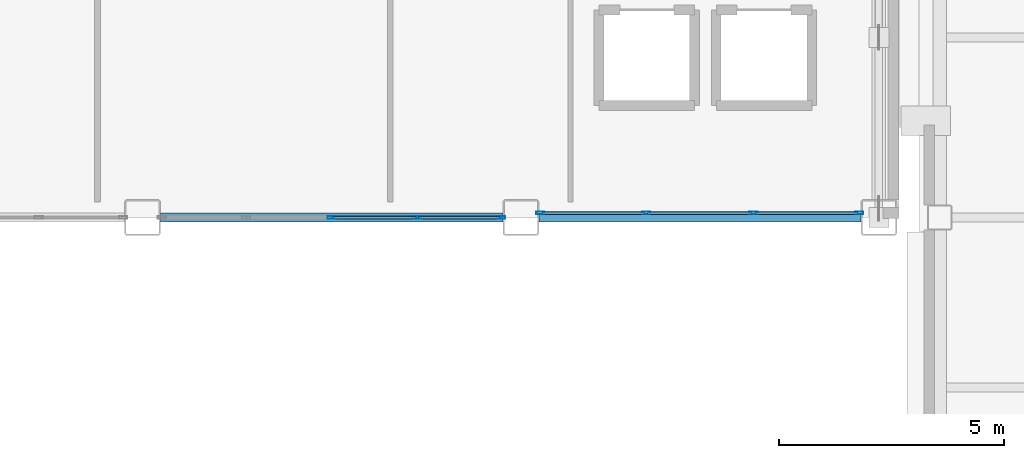
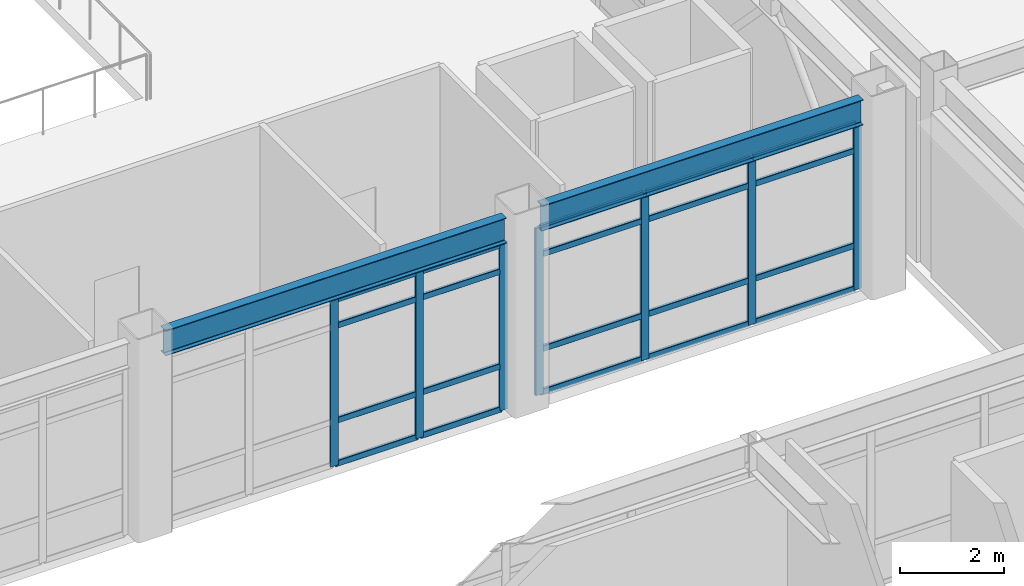
# One storey, part 34 of 154: 27 members, 2 beams, 2 elements without a shape of their own.
"""IFC4 building model written with IfcOpenShell, lengths in metres."""

from ifc_helpers import new_model, si_unit, direction, frame, origin, origin_2d, place, context, subcontext, project, spatial, hollow_rectangle, i_section, extrude, material, layer, layer_set, material_profile, profile_set, type_object, element, aggregate, save


model = new_model("IFC4")

# Units and contexts
model_context = context("Model", 3, precision=1e-05, world=origin(), true_north=direction((0.0, 1.0)))
body_context = subcontext(model_context, "Body", "Model", "MODEL_VIEW")
ifc_project = project(units=[si_unit("LENGTHUNIT", "METRE"), si_unit("AREAUNIT", "SQUARE_METRE"), si_unit("VOLUMEUNIT", "CUBIC_METRE"), si_unit("PLANEANGLEUNIT", "RADIAN"), si_unit("MASSUNIT", "GRAM", prefix="KILO")], contexts=[model_context])

# Site, building, storey
site_placement = place(None, origin())
site = spatial("IfcSite", under=ifc_project, at=site_placement, CompositionType="ELEMENT")
building_placement = place(site_placement, origin())
building = spatial("IfcBuilding", under=site, at=building_placement, Name="Kazehara Bluff Congress Hotel", CompositionType="ELEMENT")
storey_placement = place(building_placement, frame((0.0, 0.0, 10.199951171875)))
storey = spatial("IfcBuildingStorey", under=building, at=storey_placement, Name="L02", CompositionType="ELEMENT", Elevation=10.199951171875)

# Curtain wall, members
ifc_material_1 = material(Name="Anodised aluminium", Category="aluminium")
ifc_layer_1 = layer(ifc_material_1, 0.159912109375)
ifc_layer_set_1 = layer_set([ifc_layer_1], Name="Anodised aluminium")
curtain_wall_type_1 = type_object("IfcCurtainWallType", Name="TP-CW-15", PredefinedType="NOTDEFINED", material=ifc_layer_set_1)
curtain_wall_1_placement = place(storey_placement, origin())
curtain_wall_1 = element("IfcCurtainWall", 1, at=curtain_wall_1_placement, inside=storey, type_object=curtain_wall_type_1, Name="L02 curtain wall CW-15 CW-V1-L02-Y4845-4240", PredefinedType="NOTDEFINED")
ifc_material_2 = material(Name="Anodised aluminium", Category="aluminium")
ifc_material_profile_1 = material_profile(ifc_material_2, hollow_rectangle(XDim=0.06494140625, YDim=0.179931640625, WallThickness=0.00390625, InnerFilletRadius=0.00390625, OuterFilletRadius=0.008056640625, at=origin_2d()))
ifc_profile_set_1 = profile_set([ifc_material_profile_1], Name="Anodised aluminium")
member_type_1 = type_object("IfcMemberType", Name="TP-CWM-02", PredefinedType="MULLION", material=ifc_profile_set_1)
member_1_placement = place(storey_placement, frame((46.199951171875, 48.449951171875, 0.0), z_axis=(0.0, 0.0, 1.0), x_axis=(0.0, 1.0, 0.0)))
member_1 = element("IfcMember", 2, at=member_1_placement, type_object=member_type_1, Name="CW-15 mullion 3", PredefinedType="MULLION", context=body_context, shape_type="SweptSolid", body=[
    extrude(hollow_rectangle(XDim=0.06494140625, YDim=0.179931640625, WallThickness=0.00390625, InnerFilletRadius=0.00390625, OuterFilletRadius=0.008056640625, at=origin_2d()), origin(), (0.0, 0.0, 1.0), 3.93505859375),
])
member_2_placement = place(storey_placement, frame((48.10009765625, 48.449951171875, 0.0), z_axis=(0.0, 0.0, 1.0), x_axis=(0.0, 1.0, 0.0)))
member_2 = element("IfcMember", 3, at=member_2_placement, type_object=member_type_1, Name="CW-15 mullion 4", PredefinedType="MULLION", context=body_context, shape_type="SweptSolid", body=[
    extrude(hollow_rectangle(XDim=0.06494140625, YDim=0.179931640625, WallThickness=0.00390625, InnerFilletRadius=0.00390625, OuterFilletRadius=0.008056640625, at=origin_2d()), origin(), (0.0, 0.0, 1.0), 3.93505859375),
])
member_3_placement = place(storey_placement, frame((49.967529296875, 48.449951171875, 0.0), z_axis=(0.0, 0.0, 1.0), x_axis=(0.0, 1.0, 0.0)))
member_3 = element("IfcMember", 4, at=member_3_placement, type_object=member_type_1, Name="CW-15 mullion 5", PredefinedType="MULLION", context=body_context, shape_type="SweptSolid", body=[
    extrude(hollow_rectangle(XDim=0.06494140625, YDim=0.179931640625, WallThickness=0.00390625, InnerFilletRadius=0.00390625, OuterFilletRadius=0.008056640625, at=origin_2d()), origin(), (0.0, 0.0, 1.0), 3.93505859375),
])

ifc_material_3 = material(Name="Anodised aluminium", Category="aluminium")
ifc_layer_2 = layer(ifc_material_3, 0.159912109375)
ifc_layer_set_2 = layer_set([ifc_layer_2], Name="Anodised aluminium")
curtain_wall_type_2 = type_object("IfcCurtainWallType", Name="TP-CW-127", PredefinedType="NOTDEFINED", material=ifc_layer_set_2)
curtain_wall_2_placement = place(storey_placement, origin())
curtain_wall_2 = element("IfcCurtainWall", 5, at=curtain_wall_2_placement, inside=storey, type_object=curtain_wall_type_2, Name="L02 curtain wall CW-127 CW-ENC-V1-L02-5438-4855", PredefinedType="NOTDEFINED")
member_4_placement = place(storey_placement, frame((57.91748046875, 48.550048828125, 0.0), z_axis=(0.0, 0.0, 1.0), x_axis=(0.0, -1.0, 0.0)))
member_4 = element("IfcMember", 6, at=member_4_placement, type_object=member_type_1, Name="CW-127 mullion 1", PredefinedType="MULLION", context=body_context, shape_type="SweptSolid", body=[
    extrude(hollow_rectangle(XDim=0.06494140625, YDim=0.179931640625, WallThickness=0.00390625, InnerFilletRadius=0.00390625, OuterFilletRadius=0.008056640625, at=origin_2d()), origin(), (0.0, 0.0, 1.0), 3.93505859375),
])
member_5_placement = place(storey_placement, frame((55.566650390625, 48.550048828125, 0.0), z_axis=(0.0, 0.0, 1.0), x_axis=(0.0, -1.0, 0.0)))
member_5 = element("IfcMember", 7, at=member_5_placement, type_object=member_type_1, Name="CW-127 mullion 2", PredefinedType="MULLION", context=body_context, shape_type="SweptSolid", body=[
    extrude(hollow_rectangle(XDim=0.06494140625, YDim=0.179931640625, WallThickness=0.00390625, InnerFilletRadius=0.00390625, OuterFilletRadius=0.008056640625, at=origin_2d()), origin(), (0.0, 0.0, 1.0), 3.93505859375),
])
member_6_placement = place(storey_placement, frame((53.183349609375, 48.550048828125, 0.0), z_axis=(0.0, 0.0, 1.0), x_axis=(0.0, -1.0, 0.0)))
member_6 = element("IfcMember", 8, at=member_6_placement, type_object=member_type_1, Name="CW-127 mullion 3", PredefinedType="MULLION", context=body_context, shape_type="SweptSolid", body=[
    extrude(hollow_rectangle(XDim=0.06494140625, YDim=0.179931640625, WallThickness=0.00390625, InnerFilletRadius=0.00390625, OuterFilletRadius=0.008056640625, at=origin_2d()), origin(), (0.0, 0.0, 1.0), 3.93505859375),
])
member_7_placement = place(storey_placement, frame((50.83251953125, 48.550048828125, 0.0), z_axis=(0.0, 0.0, 1.0), x_axis=(0.0, -1.0, 0.0)))
member_7 = element("IfcMember", 9, at=member_7_placement, type_object=member_type_1, Name="CW-127 mullion 4", PredefinedType="MULLION", context=body_context, shape_type="SweptSolid", body=[
    extrude(hollow_rectangle(XDim=0.06494140625, YDim=0.179931640625, WallThickness=0.00390625, InnerFilletRadius=0.00390625, OuterFilletRadius=0.008056640625, at=origin_2d()), origin(), (0.0, 0.0, 1.0), 3.93505859375),
])

# Member
ifc_material_4 = material(Name="Anodised aluminium", Category="aluminium")
ifc_material_profile_2 = material_profile(ifc_material_4, hollow_rectangle(XDim=0.06494140625, YDim=0.139892578125, WallThickness=0.00390625, InnerFilletRadius=0.00390625, OuterFilletRadius=0.008056640625, at=origin_2d()))
ifc_profile_set_2 = profile_set([ifc_material_profile_2], Name="Anodised aluminium")
member_type_2 = type_object("IfcMemberType", Name="TP-CWT-02", PredefinedType="USERDEFINED", material=ifc_profile_set_2)
member_8_placement = place(storey_placement, frame((46.232421875, 48.449951171875, 0.032470703125), z_axis=(1.0, 0.0, 0.0), x_axis=(0.0, 1.0, 0.0)))
member_8 = element("IfcMember", 10, at=member_8_placement, type_object=member_type_2, Name="CW-15 transom 3.1", ObjectType="TRANSOM", PredefinedType="USERDEFINED", context=body_context, shape_type="SweptSolid", body=[
    extrude(hollow_rectangle(XDim=0.06494140625, YDim=0.139892578125, WallThickness=0.00390625, InnerFilletRadius=0.00390625, OuterFilletRadius=0.008056640625, at=origin_2d()), origin(), (0.0, 0.0, 1.0), 1.8349609375),
])

member_9_placement = place(storey_placement, frame((46.232421875, 48.449951171875, 1.050048828125), z_axis=(1.0, 0.0, 0.0), x_axis=(0.0, 1.0, 0.0)))
member_9 = element("IfcMember", 11, at=member_9_placement, type_object=member_type_2, Name="CW-15 transom 3.2", ObjectType="TRANSOM", PredefinedType="USERDEFINED", context=body_context, shape_type="SweptSolid", body=[
    extrude(hollow_rectangle(XDim=0.06494140625, YDim=0.139892578125, WallThickness=0.00390625, InnerFilletRadius=0.00390625, OuterFilletRadius=0.008056640625, at=origin_2d()), origin(), (0.0, 0.0, 1.0), 1.8349609375),
])

member_10_placement = place(storey_placement, frame((46.232421875, 48.449951171875, 3.28515625), z_axis=(1.0, 0.0, 0.0), x_axis=(0.0, 1.0, 0.0)))
member_10 = element("IfcMember", 12, at=member_10_placement, type_object=member_type_2, Name="CW-15 transom 3.3", ObjectType="TRANSOM", PredefinedType="USERDEFINED", context=body_context, shape_type="SweptSolid", body=[
    extrude(hollow_rectangle(XDim=0.06494140625, YDim=0.139892578125, WallThickness=0.00390625, InnerFilletRadius=0.00390625, OuterFilletRadius=0.008056640625, at=origin_2d()), origin(), (0.0, 0.0, 1.0), 1.8349609375),
])

member_11_placement = place(storey_placement, frame((46.232421875, 48.449951171875, 3.902587890625), z_axis=(1.0, 0.0, 0.0), x_axis=(0.0, 1.0, 0.0)))
member_11 = element("IfcMember", 13, at=member_11_placement, type_object=member_type_2, Name="CW-15 transom 3.4", ObjectType="TRANSOM", PredefinedType="USERDEFINED", context=body_context, shape_type="SweptSolid", body=[
    extrude(hollow_rectangle(XDim=0.06494140625, YDim=0.139892578125, WallThickness=0.00390625, InnerFilletRadius=0.00390625, OuterFilletRadius=0.008056640625, at=origin_2d()), origin(), (0.0, 0.0, 1.0), 1.8349609375),
])

member_12_placement = place(storey_placement, frame((48.132568359375, 48.449951171875, 0.032470703125), z_axis=(1.0, 0.0, 0.0), x_axis=(0.0, 1.0, 0.0)))
member_12 = element("IfcMember", 14, at=member_12_placement, type_object=member_type_2, Name="CW-15 transom 4.1", ObjectType="TRANSOM", PredefinedType="USERDEFINED", context=body_context, shape_type="SweptSolid", body=[
    extrude(hollow_rectangle(XDim=0.06494140625, YDim=0.139892578125, WallThickness=0.00390625, InnerFilletRadius=0.00390625, OuterFilletRadius=0.008056640625, at=origin_2d()), origin(), (0.0, 0.0, 1.0), 1.802490234375),
])

member_13_placement = place(storey_placement, frame((48.132568359375, 48.449951171875, 1.050048828125), z_axis=(1.0, 0.0, 0.0), x_axis=(0.0, 1.0, 0.0)))
member_13 = element("IfcMember", 15, at=member_13_placement, type_object=member_type_2, Name="CW-15 transom 4.2", ObjectType="TRANSOM", PredefinedType="USERDEFINED", context=body_context, shape_type="SweptSolid", body=[
    extrude(hollow_rectangle(XDim=0.06494140625, YDim=0.139892578125, WallThickness=0.00390625, InnerFilletRadius=0.00390625, OuterFilletRadius=0.008056640625, at=origin_2d()), origin(), (0.0, 0.0, 1.0), 1.802490234375),
])

member_14_placement = place(storey_placement, frame((48.132568359375, 48.449951171875, 3.28515625), z_axis=(1.0, 0.0, 0.0), x_axis=(0.0, 1.0, 0.0)))
member_14 = element("IfcMember", 16, at=member_14_placement, type_object=member_type_2, Name="CW-15 transom 4.3", ObjectType="TRANSOM", PredefinedType="USERDEFINED", context=body_context, shape_type="SweptSolid", body=[
    extrude(hollow_rectangle(XDim=0.06494140625, YDim=0.139892578125, WallThickness=0.00390625, InnerFilletRadius=0.00390625, OuterFilletRadius=0.008056640625, at=origin_2d()), origin(), (0.0, 0.0, 1.0), 1.802490234375),
])

member_15_placement = place(storey_placement, frame((48.132568359375, 48.449951171875, 3.902587890625), z_axis=(1.0, 0.0, 0.0), x_axis=(0.0, 1.0, 0.0)))
member_15 = element("IfcMember", 17, at=member_15_placement, type_object=member_type_2, Name="CW-15 transom 4.4", ObjectType="TRANSOM", PredefinedType="USERDEFINED", context=body_context, shape_type="SweptSolid", body=[
    extrude(hollow_rectangle(XDim=0.06494140625, YDim=0.139892578125, WallThickness=0.00390625, InnerFilletRadius=0.00390625, OuterFilletRadius=0.008056640625, at=origin_2d()), origin(), (0.0, 0.0, 1.0), 1.802490234375),
])

aggregate(curtain_wall_1, [member_1, member_2, member_3, member_8, member_9, member_10, member_11, member_12, member_13, member_14, member_15])

member_16_placement = place(storey_placement, frame((57.885009765625, 48.550048828125, 0.032470703125), z_axis=(-1.0, 0.0, 0.0), x_axis=(0.0, -1.0, 0.0)))
member_16 = element("IfcMember", 18, at=member_16_placement, type_object=member_type_2, Name="CW-127 transom 1.1", ObjectType="TRANSOM", PredefinedType="USERDEFINED", context=body_context, shape_type="SweptSolid", body=[
    extrude(hollow_rectangle(XDim=0.06494140625, YDim=0.139892578125, WallThickness=0.00390625, InnerFilletRadius=0.00390625, OuterFilletRadius=0.008056640625, at=origin_2d()), origin(), (0.0, 0.0, 1.0), 2.285888671875),
])

member_17_placement = place(storey_placement, frame((57.885009765625, 48.550048828125, 1.050048828125), z_axis=(-1.0, 0.0, 0.0), x_axis=(0.0, -1.0, 0.0)))
member_17 = element("IfcMember", 19, at=member_17_placement, type_object=member_type_2, Name="CW-127 transom 1.2", ObjectType="TRANSOM", PredefinedType="USERDEFINED", context=body_context, shape_type="SweptSolid", body=[
    extrude(hollow_rectangle(XDim=0.06494140625, YDim=0.139892578125, WallThickness=0.00390625, InnerFilletRadius=0.00390625, OuterFilletRadius=0.008056640625, at=origin_2d()), origin(), (0.0, 0.0, 1.0), 2.285888671875),
])

member_18_placement = place(storey_placement, frame((57.885009765625, 48.550048828125, 3.28515625), z_axis=(-1.0, 0.0, 0.0), x_axis=(0.0, -1.0, 0.0)))
member_18 = element("IfcMember", 20, at=member_18_placement, type_object=member_type_2, Name="CW-127 transom 1.3", ObjectType="TRANSOM", PredefinedType="USERDEFINED", context=body_context, shape_type="SweptSolid", body=[
    extrude(hollow_rectangle(XDim=0.06494140625, YDim=0.139892578125, WallThickness=0.00390625, InnerFilletRadius=0.00390625, OuterFilletRadius=0.008056640625, at=origin_2d()), origin(), (0.0, 0.0, 1.0), 2.285888671875),
])

member_19_placement = place(storey_placement, frame((57.885009765625, 48.550048828125, 3.902587890625), z_axis=(-1.0, 0.0, 0.0), x_axis=(0.0, -1.0, 0.0)))
member_19 = element("IfcMember", 21, at=member_19_placement, type_object=member_type_2, Name="CW-127 transom 1.4", ObjectType="TRANSOM", PredefinedType="USERDEFINED", context=body_context, shape_type="SweptSolid", body=[
    extrude(hollow_rectangle(XDim=0.06494140625, YDim=0.139892578125, WallThickness=0.00390625, InnerFilletRadius=0.00390625, OuterFilletRadius=0.008056640625, at=origin_2d()), origin(), (0.0, 0.0, 1.0), 2.285888671875),
])

member_20_placement = place(storey_placement, frame((55.5341796875, 48.550048828125, 0.032470703125), z_axis=(-1.0, 0.0, 0.0), x_axis=(0.0, -1.0, 0.0)))
member_20 = element("IfcMember", 22, at=member_20_placement, type_object=member_type_2, Name="CW-127 transom 2.1", ObjectType="TRANSOM", PredefinedType="USERDEFINED", context=body_context, shape_type="SweptSolid", body=[
    extrude(hollow_rectangle(XDim=0.06494140625, YDim=0.139892578125, WallThickness=0.00390625, InnerFilletRadius=0.00390625, OuterFilletRadius=0.008056640625, at=origin_2d()), origin(), (0.0, 0.0, 1.0), 2.318359375),
])

member_21_placement = place(storey_placement, frame((55.5341796875, 48.550048828125, 1.050048828125), z_axis=(-1.0, 0.0, 0.0), x_axis=(0.0, -1.0, 0.0)))
member_21 = element("IfcMember", 23, at=member_21_placement, type_object=member_type_2, Name="CW-127 transom 2.2", ObjectType="TRANSOM", PredefinedType="USERDEFINED", context=body_context, shape_type="SweptSolid", body=[
    extrude(hollow_rectangle(XDim=0.06494140625, YDim=0.139892578125, WallThickness=0.00390625, InnerFilletRadius=0.00390625, OuterFilletRadius=0.008056640625, at=origin_2d()), origin(), (0.0, 0.0, 1.0), 2.318359375),
])

member_22_placement = place(storey_placement, frame((55.5341796875, 48.550048828125, 3.28515625), z_axis=(-1.0, 0.0, 0.0), x_axis=(0.0, -1.0, 0.0)))
member_22 = element("IfcMember", 24, at=member_22_placement, type_object=member_type_2, Name="CW-127 transom 2.3", ObjectType="TRANSOM", PredefinedType="USERDEFINED", context=body_context, shape_type="SweptSolid", body=[
    extrude(hollow_rectangle(XDim=0.06494140625, YDim=0.139892578125, WallThickness=0.00390625, InnerFilletRadius=0.00390625, OuterFilletRadius=0.008056640625, at=origin_2d()), origin(), (0.0, 0.0, 1.0), 2.318359375),
])

member_23_placement = place(storey_placement, frame((55.5341796875, 48.550048828125, 3.902587890625), z_axis=(-1.0, 0.0, 0.0), x_axis=(0.0, -1.0, 0.0)))
member_23 = element("IfcMember", 25, at=member_23_placement, type_object=member_type_2, Name="CW-127 transom 2.4", ObjectType="TRANSOM", PredefinedType="USERDEFINED", context=body_context, shape_type="SweptSolid", body=[
    extrude(hollow_rectangle(XDim=0.06494140625, YDim=0.139892578125, WallThickness=0.00390625, InnerFilletRadius=0.00390625, OuterFilletRadius=0.008056640625, at=origin_2d()), origin(), (0.0, 0.0, 1.0), 2.318359375),
])

member_24_placement = place(storey_placement, frame((53.15087890625, 48.550048828125, 0.032470703125), z_axis=(-1.0, 0.0, 0.0), x_axis=(0.0, -1.0, 0.0)))
member_24 = element("IfcMember", 26, at=member_24_placement, type_object=member_type_2, Name="CW-127 transom 3.1", ObjectType="TRANSOM", PredefinedType="USERDEFINED", context=body_context, shape_type="SweptSolid", body=[
    extrude(hollow_rectangle(XDim=0.06494140625, YDim=0.139892578125, WallThickness=0.00390625, InnerFilletRadius=0.00390625, OuterFilletRadius=0.008056640625, at=origin_2d()), origin(), (0.0, 0.0, 1.0), 2.285888671875),
])

member_25_placement = place(storey_placement, frame((53.15087890625, 48.550048828125, 1.050048828125), z_axis=(-1.0, 0.0, 0.0), x_axis=(0.0, -1.0, 0.0)))
member_25 = element("IfcMember", 27, at=member_25_placement, type_object=member_type_2, Name="CW-127 transom 3.2", ObjectType="TRANSOM", PredefinedType="USERDEFINED", context=body_context, shape_type="SweptSolid", body=[
    extrude(hollow_rectangle(XDim=0.06494140625, YDim=0.139892578125, WallThickness=0.00390625, InnerFilletRadius=0.00390625, OuterFilletRadius=0.008056640625, at=origin_2d()), origin(), (0.0, 0.0, 1.0), 2.285888671875),
])

member_26_placement = place(storey_placement, frame((53.15087890625, 48.550048828125, 3.28515625), z_axis=(-1.0, 0.0, 0.0), x_axis=(0.0, -1.0, 0.0)))
member_26 = element("IfcMember", 28, at=member_26_placement, type_object=member_type_2, Name="CW-127 transom 3.3", ObjectType="TRANSOM", PredefinedType="USERDEFINED", context=body_context, shape_type="SweptSolid", body=[
    extrude(hollow_rectangle(XDim=0.06494140625, YDim=0.139892578125, WallThickness=0.00390625, InnerFilletRadius=0.00390625, OuterFilletRadius=0.008056640625, at=origin_2d()), origin(), (0.0, 0.0, 1.0), 2.285888671875),
])

member_27_placement = place(storey_placement, frame((53.15087890625, 48.550048828125, 3.902587890625), z_axis=(-1.0, 0.0, 0.0), x_axis=(0.0, -1.0, 0.0)))
member_27 = element("IfcMember", 29, at=member_27_placement, type_object=member_type_2, Name="CW-127 transom 3.4", ObjectType="TRANSOM", PredefinedType="USERDEFINED", context=body_context, shape_type="SweptSolid", body=[
    extrude(hollow_rectangle(XDim=0.06494140625, YDim=0.139892578125, WallThickness=0.00390625, InnerFilletRadius=0.00390625, OuterFilletRadius=0.008056640625, at=origin_2d()), origin(), (0.0, 0.0, 1.0), 2.285888671875),
])

aggregate(curtain_wall_2, [member_4, member_5, member_6, member_7, member_16, member_17, member_18, member_19, member_20, member_21, member_22, member_23, member_24, member_25, member_26, member_27])

# Beams
ifc_material_5 = material(Name="Steel SN490B", Category="steel")
ifc_material_profile_3 = material_profile(ifc_material_5, i_section(OverallWidth=0.199951171875, OverallDepth=0.60009765625, WebThickness=0.010986328125, FlangeThickness=0.01708984375, FilletRadius=0.012939453125, at=origin_2d()))
ifc_profile_set_3 = profile_set([ifc_material_profile_3], Name="Steel SN490B")
beam_type = type_object("IfcBeamType", Name="TP-SP-02", PredefinedType="SPANDREL", material=ifc_profile_set_3)
beam_1_placement = place(storey_placement, frame((42.39990234375, 48.449951171875, 4.260009765625), z_axis=(1.0, 0.0, 0.0), x_axis=(0.0, 1.0, 0.0)))
element("IfcBeam", 30, at=beam_1_placement, inside=storey, type_object=beam_type, Name="L02 girder SP-02 29", PredefinedType="SPANDREL", context=body_context, shape_type="SweptSolid", body=[
    extrude(i_section(OverallWidth=0.199951171875, OverallDepth=0.60009765625, WebThickness=0.010986328125, FlangeThickness=0.01708984375, FilletRadius=0.012939453125, at=origin_2d()), origin(), (0.0, 0.0, 1.0), 7.60009765625),
])
beam_2_placement = place(storey_placement, frame((50.800048828125, 48.449951171875, 4.260009765625), z_axis=(1.0, 0.0, 0.0), x_axis=(0.0, 1.0, 0.0)))
element("IfcBeam", 31, at=beam_2_placement, inside=storey, type_object=beam_type, Name="L02 girder SP-02 30", PredefinedType="SPANDREL", context=body_context, shape_type="SweptSolid", body=[
    extrude(i_section(OverallWidth=0.199951171875, OverallDepth=0.60009765625, WebThickness=0.010986328125, FlangeThickness=0.01708984375, FilletRadius=0.012939453125, at=origin_2d()), origin(), (0.0, 0.0, 1.0), 7.14990234375),
])

save(model, "model.ifc")
